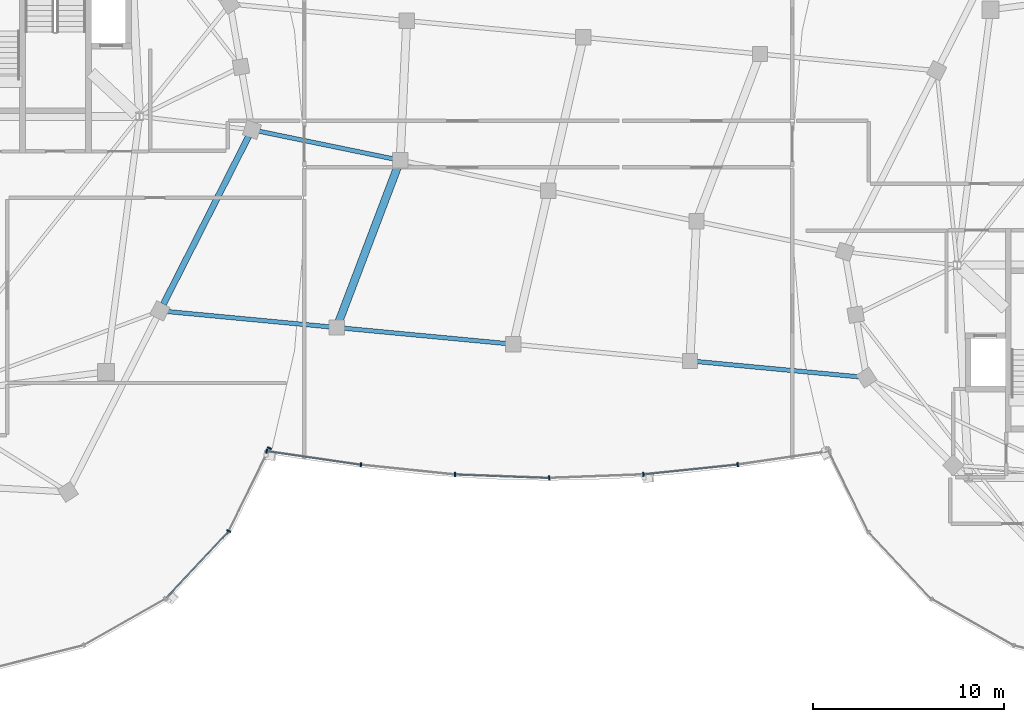
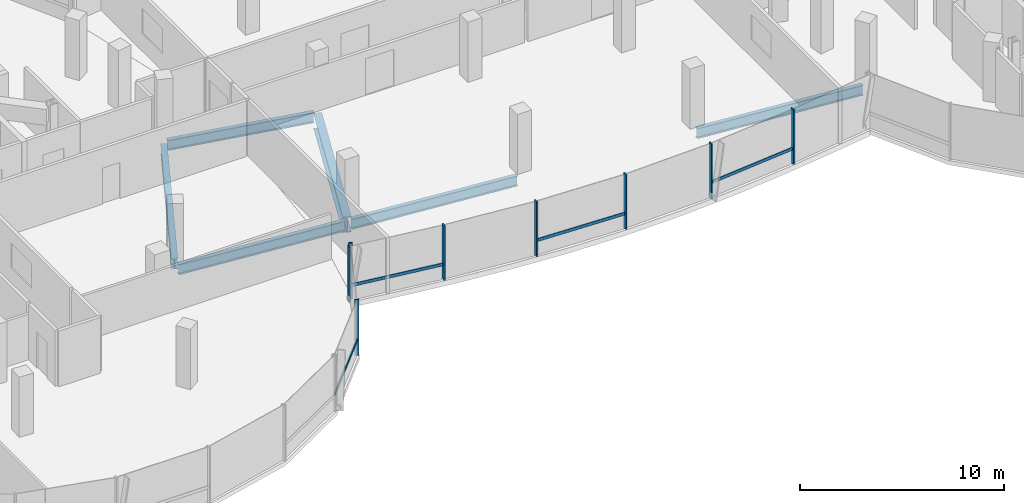
# One storey, part 4 of 25: 12 members, 6 beams, 2 elements without a shape of their own.
"""IFC4 building model written with IfcOpenShell, lengths in metres."""

from ifc_helpers import new_model, si_unit, direction, frame, origin, origin_2d, place, context, subcontext, project, spatial, rectangle, i_section, extrude, material, material_profile, profile_set, type_object, element, aggregate, save


model = new_model("IFC4")

# Units and contexts
model_context = context("Model", 3, precision=1e-05, world=origin(), true_north=direction((0.0, 1.0)))
body_context = subcontext(model_context, "Body", "Model", "MODEL_VIEW")
ifc_project = project(units=[si_unit("LENGTHUNIT", "METRE"), si_unit("AREAUNIT", "SQUARE_METRE"), si_unit("VOLUMEUNIT", "CUBIC_METRE"), si_unit("PLANEANGLEUNIT", "RADIAN"), si_unit("MASSUNIT", "GRAM", prefix="KILO"), si_unit("THERMODYNAMICTEMPERATUREUNIT", "KELVIN"), si_unit("POWERUNIT", "WATT")], contexts=[model_context])

# Site, building, storey
site_placement = place(None, origin())
site = spatial("IfcSite", under=ifc_project, at=site_placement, CompositionType="ELEMENT")
building_placement = place(site_placement, origin())
building = spatial("IfcBuilding", under=site, at=building_placement, Name="Cundina Bronze Exchange", CompositionType="ELEMENT")
storey_placement = place(building_placement, frame((0.0, 0.0, 257.60009765625)))
storey = spatial("IfcBuildingStorey", under=building, at=storey_placement, Name="L68", CompositionType="ELEMENT", Elevation=257.60009765625)

# Beams
ifc_material_1 = material(Name="Steel ASTM A992 Grade 50", Category="steel")
ifc_material_profile_1 = material_profile(ifc_material_1, i_section(OverallWidth=0.22998046875, OverallDepth=0.616943359375, WebThickness=0.01318359375, FlangeThickness=0.022216796875, FilletRadius=0.013916015625, at=origin_2d()), Name="W24X94", Category="steel")
ifc_profile_set_1 = profile_set([ifc_material_profile_1], Name="Steel ASTM A992 Grade 50")
beam_type_1 = type_object("IfcBeamType", Name="BM-FLR-W24B", PredefinedType="BEAM", material=ifc_profile_set_1)
for number, where, z_axis, x_axis, name in (
    (1, (-20.19580078125, -6.31689453125, -0.628662109375), (0.995572136276, -0.094000646124, 0.0), (0.094000646124, 0.995572136276, 0.0), "L68 Sky-Gate Longitudinal Girder Y1-P1"),
    (2, (-10.927001953125, -7.19189453125, -0.628662109375), (0.995572136276, -0.094000646124, 0.0), (0.094000646124, 0.995572136276, 0.0), "L68 Sky-Gate Longitudinal Girder Y1-P2"),
):
    element("IfcBeam", number, at=place(storey_placement, frame(where, z_axis=z_axis, x_axis=x_axis)), inside=storey, type_object=beam_type_1, Name=name, PredefinedType="BEAM", context=body_context, shape_type="SweptSolid", body=[
        extrude(i_section(OverallWidth=0.22998046875, OverallDepth=0.616943359375, WebThickness=0.01318359375, FlangeThickness=0.022216796875, FilletRadius=0.013916015625, at=origin_2d()), origin(), (0.0, 0.0, 1.0), 8.949951171875),
    ])
beam_1_placement = place(storey_placement, frame((7.610595703125, -8.94189453125, -0.628662109375), z_axis=(0.995571895232, -0.094003199007, 0.0), x_axis=(0.094003199007, 0.995571895232, 0.0)))
element("IfcBeam", 3, at=beam_1_placement, inside=storey, type_object=beam_type_1, Name="L68 Sky-Gate Longitudinal Girder Y1-P4", PredefinedType="BEAM", context=body_context, shape_type="SweptSolid", body=[
    extrude(i_section(OverallWidth=0.22998046875, OverallDepth=0.616943359375, WebThickness=0.01318359375, FlangeThickness=0.022216796875, FilletRadius=0.013916015625, at=origin_2d()), origin(), (0.0, 0.0, 1.0), 8.94970703125),
])
beam_2_placement = place(storey_placement, frame((-15.373779296875, 3.163818359375, -0.628662109375), z_axis=(0.979471264571, -0.20158383338, 0.0), x_axis=(0.20158383338, 0.979471264571, 0.0)))
element("IfcBeam", 4, at=beam_2_placement, inside=storey, type_object=beam_type_1, Name="L68 Sky-Gate Longitudinal Girder Y2-P1", PredefinedType="BEAM", context=body_context, shape_type="SweptSolid", body=[
    extrude(i_section(OverallWidth=0.22998046875, OverallDepth=0.616943359375, WebThickness=0.01318359375, FlangeThickness=0.022216796875, FilletRadius=0.013916015625, at=origin_2d()), origin(), (0.0, 0.0, 1.0), 7.577880859375),
])
ifc_material_profile_2 = material_profile(ifc_material_1, i_section(OverallWidth=0.324951171875, OverallDepth=0.615966796875, WebThickness=0.013916015625, FlangeThickness=0.021484375, FilletRadius=0.01611328125, at=origin_2d()), Name="W24X117", Category="steel")
ifc_profile_set_2 = profile_set([ifc_material_profile_2], Name="Steel ASTM A992 Grade 50")
beam_type_2 = type_object("IfcBeamType", Name="BM-RING-W24", PredefinedType="USERDEFINED", material=ifc_profile_set_2)
beam_3_placement = place(storey_placement, frame((-20.19921875, -5.9541015625, -0.568115234375), z_axis=(0.452839263805, 0.891592171991, 0.0), x_axis=(-0.891592171991, 0.452839263805, 0.0)))
element("IfcBeam", 5, at=beam_3_placement, inside=storey, type_object=beam_type_2, Name="L68 W Perimeter Ring Girder 13", ObjectType="GIRDER", PredefinedType="USERDEFINED", context=body_context, shape_type="SweptSolid", body=[
    extrude(i_section(OverallWidth=0.324951171875, OverallDepth=0.615966796875, WebThickness=0.013916015625, FlangeThickness=0.021484375, FilletRadius=0.01611328125, at=origin_2d()), origin(), (0.0, 0.0, 1.0), 9.879150390625),
])
ifc_material_profile_3 = material_profile(ifc_material_1, i_section(OverallWidth=0.41796875, OverallDepth=0.927001953125, WebThickness=0.019287109375, FlangeThickness=0.031982421875, FilletRadius=0.02392578125, at=origin_2d()), Name="W36X231", Category="steel")
ifc_profile_set_3 = profile_set([ifc_material_profile_3], Name="Steel ASTM A992 Grade 50")
beam_type_3 = type_object("IfcBeamType", Name="BM-WRN-W36B", PredefinedType="USERDEFINED", material=ifc_profile_set_3)
beam_4_placement = place(storey_placement, frame((-11.042236328125, -7.006591796875, -0.78369140625), z_axis=(0.354911890514, 0.934899753969, 0.0), x_axis=(-0.934899753969, 0.354911890514, 0.0)))
element("IfcBeam", 6, at=beam_4_placement, inside=storey, type_object=beam_type_3, Name="L68 Sky-Gate Transverse Girder X1-S", ObjectType="GIRDER", PredefinedType="USERDEFINED", context=body_context, shape_type="SweptSolid", body=[
    extrude(i_section(OverallWidth=0.41796875, OverallDepth=0.927001953125, WebThickness=0.019287109375, FlangeThickness=0.031982421875, FilletRadius=0.02392578125, at=origin_2d()), origin(), (0.0, 0.0, 1.0), 9.02587890625),
])

# Curtain wall, members
ifc_material_2 = material(Name="Anodised Bronze Aluminium 6063-T6", Category="aluminium")
curtain_wall_type = type_object("IfcCurtainWallType", Name="CWS-SKG-BRG", PredefinedType="NOTDEFINED", material=ifc_material_2)
curtain_wall_1_placement = place(storey_placement, origin())
curtain_wall_1 = element("IfcCurtainWall", 7, at=curtain_wall_1_placement, inside=storey, type_object=curtain_wall_type, Name="L68 CW-06 Curtain Wall Run CWR-L68-W4", PredefinedType="NOTDEFINED")
ifc_material_profile_4 = material_profile(ifc_material_2, rectangle(XDim=0.074951171875, YDim=0.219970703125, at=origin_2d()), Name="AL75X220", Category="aluminium")
ifc_profile_set_4 = profile_set([ifc_material_profile_4], Name="Anodised Bronze Aluminium 6063-T6")
member_type_1 = type_object("IfcMemberType", Name="CWM-MUL-220", PredefinedType="MULLION", material=ifc_profile_set_4)
member_1_placement = place(storey_placement, frame((-16.7666015625, -17.856689453125, 0.0), z_axis=(0.0, 0.0, 1.0), x_axis=(0.440566004113, 0.897720221461, 0.0)))
member_1 = element("IfcMember", 8, at=member_1_placement, type_object=member_type_1, Name="CW-06 Mullion 2", PredefinedType="MULLION", context=body_context, shape_type="SweptSolid", body=[
    extrude(rectangle(XDim=0.074951171875, YDim=0.219970703125, at=origin_2d()), origin(), (0.0, 0.0, 1.0), 3.33984375),
])
member_2_placement = place(storey_placement, frame((-14.630859375, -13.50390625, 0.0), z_axis=(0.0, 0.0, 1.0), x_axis=(0.440566004113, 0.897720221461, 0.0)))
member_2 = element("IfcMember", 9, at=member_2_placement, type_object=member_type_1, Name="CW-06 End Mullion", PredefinedType="MULLION", context=body_context, shape_type="SweptSolid", body=[
    extrude(rectangle(XDim=0.074951171875, YDim=0.219970703125, at=origin_2d()), origin(), (0.0, 0.0, 1.0), 3.33984375),
])

curtain_wall_2_placement = place(storey_placement, origin())
curtain_wall_2 = element("IfcCurtainWall", 10, at=curtain_wall_2_placement, inside=storey, type_object=curtain_wall_type, Name="L68 CW-06 Curtain Wall Run CWR-L68-BRGS", PredefinedType="NOTDEFINED")
member_3_placement = place(storey_placement, frame((-14.779296875, -13.658935546875, 0.0), z_axis=(0.0, 0.0, 1.0), x_axis=(0.989525789069, -0.144356201001, 0.0)))
member_3 = element("IfcMember", 11, at=member_3_placement, type_object=member_type_1, Name="CW-06 Mullion 1", PredefinedType="MULLION", context=body_context, shape_type="SweptSolid", body=[
    extrude(rectangle(XDim=0.074951171875, YDim=0.219970703125, at=origin_2d()), origin(), (0.0, 0.0, 1.0), 3.27978515625),
])
member_4_placement = place(storey_placement, frame((-9.83447265625, -14.378173828125, 0.0), z_axis=(0.0, 0.0, 1.0), x_axis=(0.994666875153, -0.103139747302, 0.0)))
member_4 = element("IfcMember", 12, at=member_4_placement, type_object=member_type_1, Name="CW-06 Mullion 2", PredefinedType="MULLION", context=body_context, shape_type="SweptSolid", body=[
    extrude(rectangle(XDim=0.074951171875, YDim=0.219970703125, at=origin_2d()), origin(), (0.0, 0.0, 1.0), 3.27978515625),
])
member_5_placement = place(storey_placement, frame((-4.892578125, -14.88720703125, 0.0), z_axis=(0.0, 0.0, 1.0), x_axis=(0.999302568116, -0.037341362551, 0.0)))
member_5 = element("IfcMember", 13, at=member_5_placement, type_object=member_type_1, Name="CW-06 Mullion 3", PredefinedType="MULLION", context=body_context, shape_type="SweptSolid", body=[
    extrude(rectangle(XDim=0.074951171875, YDim=0.219970703125, at=origin_2d()), origin(), (0.0, 0.0, 1.0), 3.27978515625),
])
member_6_placement = place(storey_placement, frame((0.047607421875, -15.068115234375, 0.0), z_axis=(0.0, 0.0, 1.0), x_axis=(0.999302568116, 0.037341362551, 0.0)))
member_6 = element("IfcMember", 14, at=member_6_placement, type_object=member_type_1, Name="CW-06 Mullion 4", PredefinedType="MULLION", context=body_context, shape_type="SweptSolid", body=[
    extrude(rectangle(XDim=0.074951171875, YDim=0.219970703125, at=origin_2d()), origin(), (0.0, 0.0, 1.0), 3.27978515625),
])
member_7_placement = place(storey_placement, frame((4.98876953125, -14.88037109375, 0.0), z_axis=(0.0, 0.0, 1.0), x_axis=(0.994666875153, 0.103139747302, 0.0)))
member_7 = element("IfcMember", 15, at=member_7_placement, type_object=member_type_1, Name="CW-06 Mullion 5", PredefinedType="MULLION", context=body_context, shape_type="SweptSolid", body=[
    extrude(rectangle(XDim=0.074951171875, YDim=0.219970703125, at=origin_2d()), origin(), (0.0, 0.0, 1.0), 3.27978515625),
])
member_8_placement = place(storey_placement, frame((9.93310546875, -14.36572265625, 0.0), z_axis=(0.0, 0.0, 1.0), x_axis=(0.989525789069, 0.144356201001, 0.0)))
member_8 = element("IfcMember", 16, at=member_8_placement, type_object=member_type_1, Name="CW-06 Mullion 6", PredefinedType="MULLION", context=body_context, shape_type="SweptSolid", body=[
    extrude(rectangle(XDim=0.074951171875, YDim=0.219970703125, at=origin_2d()), origin(), (0.0, 0.0, 1.0), 3.27978515625),
])

# Member
ifc_material_profile_5 = material_profile(ifc_material_2, rectangle(XDim=0.070068359375, YDim=0.179931640625, at=origin_2d()), Name="AL70X180", Category="aluminium")
ifc_profile_set_5 = profile_set([ifc_material_profile_5], Name="Anodised Bronze Aluminium 6063-T6")
member_type_2 = type_object("IfcMemberType", Name="CWM-TRN-180", PredefinedType="USERDEFINED", material=ifc_profile_set_5)
member_9_placement = place(storey_placement, frame((-20.031494140625, -21.349609375, 0.919921875), z_axis=(0.684328474899, 0.729173873944, 0.0), x_axis=(-0.729173873944, 0.684328474899, 0.0)))
member_9 = element("IfcMember", 17, at=member_9_placement, type_object=member_type_2, Name="CW-06 Spandrel Transom 1", ObjectType="TRANSOM", PredefinedType="USERDEFINED", context=body_context, shape_type="SweptSolid", body=[
    extrude(rectangle(XDim=0.070068359375, YDim=0.179931640625, at=origin_2d()), origin(), (0.0, 0.0, 1.0), 4.758056640625),
])

aggregate(curtain_wall_1, [member_9, member_1, member_2])

member_10_placement = place(storey_placement, frame((-14.738525390625, -13.664794921875, 0.918212890625), z_axis=(0.989531497997, -0.144317062302, 0.0), x_axis=(0.144317062302, 0.989531497997, 0.0)))
member_10 = element("IfcMember", 18, at=member_10_placement, type_object=member_type_2, Name="CW-06 Spandrel Transom 1", ObjectType="TRANSOM", PredefinedType="USERDEFINED", context=body_context, shape_type="SweptSolid", body=[
    extrude(rectangle(XDim=0.070068359375, YDim=0.179931640625, at=origin_2d()), origin(), (0.0, 0.0, 1.0), 4.8974609375),
])

member_11_placement = place(storey_placement, frame((-4.8515625, -14.888671875, 0.918212890625), z_axis=(0.999303683555, -0.037311500026, 0.0), x_axis=(0.037311500026, 0.999303683555, 0.0)))
member_11 = element("IfcMember", 19, at=member_11_placement, type_object=member_type_2, Name="CW-06 Spandrel Transom 3", ObjectType="TRANSOM", PredefinedType="USERDEFINED", context=body_context, shape_type="SweptSolid", body=[
    extrude(rectangle(XDim=0.070068359375, YDim=0.179931640625, at=origin_2d()), origin(), (0.0, 0.0, 1.0), 4.8486328125),
])

member_12_placement = place(storey_placement, frame((5.02978515625, -14.8759765625, 0.918212890625), z_axis=(0.994672497027, 0.103085516243, 0.0), x_axis=(-0.103085516243, 0.994672497027, 0.0)))
member_12 = element("IfcMember", 20, at=member_12_placement, type_object=member_type_2, Name="CW-06 Spandrel Transom 5", ObjectType="TRANSOM", PredefinedType="USERDEFINED", context=body_context, shape_type="SweptSolid", body=[
    extrude(rectangle(XDim=0.070068359375, YDim=0.179931640625, at=origin_2d()), origin(), (0.0, 0.0, 1.0), 4.87158203125),
])

aggregate(curtain_wall_2, [member_3, member_10, member_4, member_5, member_11, member_6, member_7, member_12, member_8])

save(model, "model.ifc")
